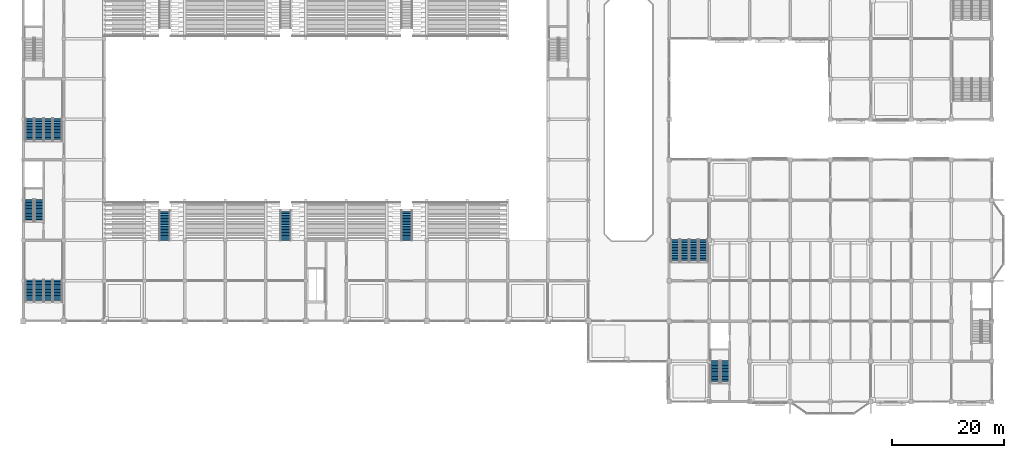
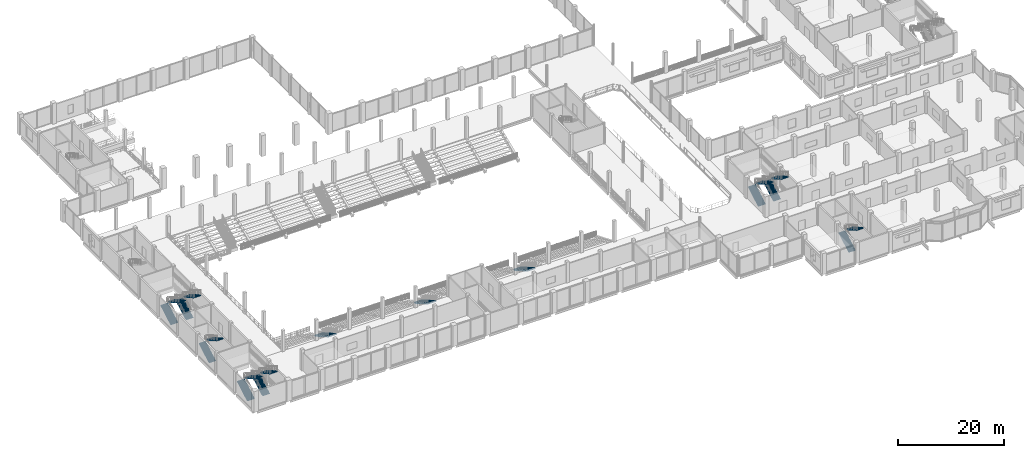
# One storey, part 72 of 99: 19 stair flights, 11 elements without a shape of their own.
"""IFC4 building model written with IfcOpenShell, lengths in metres."""

import ifcopenshell
import ifcopenshell.guid

model = None  # the IFC model being written
_history = None  # IfcOwnerHistory: only IFC2X3 demands one
_inside = {}  # id of a spatial element -> (the spatial element, [elements in it])
_under = {}  # id of a project, library or spatial element -> (it, [spatial elements below it])
_declared = {}  # id of a project -> (the project, [libraries it declares])
_typed = {}  # id of a type object -> (the type object, [elements of that type])
_made_of = {}  # id of a material, layer set ... -> (it, [elements and type objects made of it])


def new_model(schema):
    """Start an empty IFC model of exactly this schema.

    Asked for "IFC4X3", IfcOpenShell would pick the latest addendum, in which some entities
    have other attributes; the version numbers below select the first issue.
    IFC2X3 requires an IfcOwnerHistory on every rooted entity: one is made here for all.
    """
    global model, _history
    if schema == "IFC4X3":
        model = ifcopenshell.file(schema_version=(4, 3, 0, 0))
    else:
        model = ifcopenshell.file(schema=schema)
    _inside.clear()
    _under.clear()
    _declared.clear()
    _typed.clear()
    _made_of.clear()
    _history = None
    if model.schema == "IFC2X3":
        org = make("IfcOrganization", Name="unknown")
        user = make(
            "IfcPersonAndOrganization",
            ThePerson=make("IfcPerson", FamilyName="unknown"),
            TheOrganization=org,
        )
        app = make(
            "IfcApplication",
            ApplicationDeveloper=org,
            Version="unknown",
            ApplicationFullName="unknown",
            ApplicationIdentifier="unknown",
        )
        _history = make(
            "IfcOwnerHistory",
            OwningUser=user,
            OwningApplication=app,
            ChangeAction="ADDED",
            CreationDate=0,
        )
    return model


def make(cls, **values):
    """One entity of the class cls with the attributes given. An attribute that is None is left unset."""
    return model.create_entity(
        cls, **{name: value for name, value in values.items() if value is not None}
    )


def rooted(cls, **values):
    """An entity with a GlobalId (a new one), such as an element, a storey or a relation."""
    return make(cls, GlobalId=ifcopenshell.guid.new(), OwnerHistory=_history, **values)


def si_unit(unit_type, name, prefix=None):
    """IfcSIUnit, for example si_unit("LENGTHUNIT", "METRE", prefix="MILLI")."""
    return make("IfcSIUnit", UnitType=unit_type, Prefix=prefix, Name=name)


def assignment(units):
    """IfcUnitAssignment: the units of a project."""
    return None if units is None else make("IfcUnitAssignment", Units=units)


def point(xyz):
    """IfcCartesianPoint."""
    return None if xyz is None else make("IfcCartesianPoint", Coordinates=xyz)


def direction(xyz):
    """IfcDirection."""
    return None if xyz is None else make("IfcDirection", DirectionRatios=xyz)


def frame(location, z_axis=None, x_axis=None):
    """IfcAxis2Placement3D, a coordinate frame: its origin and axes. An axis left out is left unset."""
    return make(
        "IfcAxis2Placement3D",
        Location=point(location),
        Axis=direction(z_axis),
        RefDirection=direction(x_axis),
    )


def origin():
    """The frame at (0, 0, 0) with its axes left unset."""
    return frame((0.0, 0.0, 0.0))


def place(relative_to, where):
    """IfcLocalPlacement: puts the frame where relative to a parent placement (None: the world)."""
    return make(
        "IfcLocalPlacement", PlacementRelTo=relative_to, RelativePlacement=where
    )


def context(
    kind, dimensions, precision=None, world=None, true_north=None, identifier=None
):
    """IfcGeometricRepresentationContext, for example the 3D "Model" context."""
    return make(
        "IfcGeometricRepresentationContext",
        ContextIdentifier=identifier,
        ContextType=kind,
        CoordinateSpaceDimension=dimensions,
        Precision=precision,
        WorldCoordinateSystem=world,
        TrueNorth=true_north,
    )


def subcontext(parent, identifier, kind, view, scale=None):
    """IfcGeometricRepresentationSubContext, for example "Body" below "Model"."""
    return make(
        "IfcGeometricRepresentationSubContext",
        ContextIdentifier=identifier,
        ContextType=kind,
        ParentContext=parent,
        TargetScale=scale,
        TargetView=view,
    )


def project(units=None, contexts=None):
    """IfcProject with its units and contexts."""
    return rooted(
        "IfcProject",
        Name="project",
        RepresentationContexts=contexts,
        UnitsInContext=assignment(units),
    )


def spatial(cls, under=None, at=None, **own):
    """A site, building, storey or space (cls), placed at a placement, below another one or the project."""
    s = rooted(cls, ObjectPlacement=at, **own)
    if under is not None:
        _under.setdefault(under.id(), (under, []))[1].append(s)
    return s


def polyline(points):
    """IfcPolyline through the points."""
    return make("IfcPolyline", Points=[point(p) for p in points])


def outline(outer, holes=None, kind="AREA"):
    """IfcArbitraryClosedProfileDef: a profile drawn as a closed curve; with holes, ...WithVoids."""
    if holes is None:
        return make("IfcArbitraryClosedProfileDef", ProfileType=kind, OuterCurve=outer)
    return make(
        "IfcArbitraryProfileDefWithVoids",
        ProfileType=kind,
        OuterCurve=outer,
        InnerCurves=holes,
    )


def extrude(swept, where, along, depth):
    """IfcExtrudedAreaSolid: the profile swept, set in the frame where, extruded along a direction by depth."""
    return make(
        "IfcExtrudedAreaSolid",
        SweptArea=swept,
        Position=where,
        ExtrudedDirection=direction(along),
        Depth=depth,
    )


def shape(context_of_items, identifier, shape_type, items):
    """IfcShapeRepresentation: the items that make up one representation, for example the "Body"."""
    return make(
        "IfcShapeRepresentation",
        ContextOfItems=context_of_items,
        RepresentationIdentifier=identifier,
        RepresentationType=shape_type,
        Items=items,
    )


def material(Name=None, Category=None):
    """IfcMaterial."""
    return make("IfcMaterial", Name=Name, Category=Category)


def made_of(thing, what):
    """Note that an element or type object is made of a material, layer set ...; save() writes the relation."""
    if what is not None:
        _made_of.setdefault(what.id(), (what, []))[1].append(thing)
    return thing


def type_object(cls, material=None, **own):
    """A type object (cls), such as IfcWallType, which elements share."""
    return made_of(rooted(cls, **own), material)


def element(
    cls,
    number,
    at=None,
    inside=None,
    cuts=None,
    type_object=None,
    material=None,
    context=None,
    identifier="Body",
    shape_type=None,
    held_by="IfcProductDefinitionShape",
    body=None,
    shapes=None,
    **own,
):
    """One element of the class cls, such as IfcWall. Its Tag is "e" and its number.

    at: its placement. inside: the storey or other place that contains it. cuts: it is an
    opening in that element (IfcRelVoidsElement). A single representation is given by context,
    identifier, shape_type and body (its items); several are given by shapes. held_by: the class
    of the entity that holds the representations. save() writes the other relations.
    """
    e = rooted(cls, Tag="e%d" % number, ObjectPlacement=at, **own)
    if body is not None:
        shapes = [shape(context, identifier, shape_type, body)]
    if shapes is not None:
        e.Representation = make(held_by, Representations=shapes)
    if inside is not None:
        _inside.setdefault(inside.id(), (inside, []))[1].append(e)
    if cuts is not None:
        rooted(
            "IfcRelVoidsElement", RelatingBuildingElement=cuts, RelatedOpeningElement=e
        )
    if type_object is not None:
        _typed.setdefault(type_object.id(), (type_object, []))[1].append(e)
    return made_of(e, material)


def aggregate(whole, parts):
    """IfcRelAggregates: a whole, such as a stair, and the parts it consists of."""
    return rooted("IfcRelAggregates", RelatingObject=whole, RelatedObjects=parts)


def save(model, path):
    """Write the relations noted so far, then the file.

    IfcRelAggregates (storeys below a building ...), IfcRelContainedInSpatialStructure (elements
    in a storey), IfcRelDefinesByType, IfcRelAssociatesMaterial and IfcRelDeclares: one each for
    every whole, place, type object, material and project.
    """
    for whole, parts in _under.values():
        aggregate(whole, parts)
    for where, things in _inside.values():
        rooted(
            "IfcRelContainedInSpatialStructure",
            RelatedElements=things,
            RelatingStructure=where,
        )
    for kind, things in _typed.values():
        rooted("IfcRelDefinesByType", RelatedObjects=things, RelatingType=kind)
    for what, things in _made_of.values():
        rooted("IfcRelAssociatesMaterial", RelatedObjects=things, RelatingMaterial=what)
    for by, libraries in _declared.values():
        rooted("IfcRelDeclares", RelatingContext=by, RelatedDefinitions=libraries)
    model.write(path)


model = new_model("IFC4")

# Units and contexts
model_context = context("Model", 3, precision=1e-05, world=origin(), true_north=direction((0.0, 1.0)))
body_context = subcontext(model_context, "Body", "Model", "MODEL_VIEW")
ifc_project = project(units=[si_unit("LENGTHUNIT", "METRE"), si_unit("AREAUNIT", "SQUARE_METRE"), si_unit("VOLUMEUNIT", "CUBIC_METRE"), si_unit("PLANEANGLEUNIT", "RADIAN"), si_unit("MASSUNIT", "GRAM", prefix="KILO")], contexts=[model_context])

# Site, building, storey
site_placement = place(None, origin())
site = spatial("IfcSite", under=ifc_project, at=site_placement, CompositionType="ELEMENT")
building_placement = place(site_placement, origin())
building = spatial("IfcBuilding", under=site, at=building_placement, Name="Vesperath Aquatics Centre", CompositionType="ELEMENT")
storey_placement = place(building_placement, frame((0.0, 0.0, 5.39990234375)))
storey = spatial("IfcBuildingStorey", under=building, at=storey_placement, Name="L01", CompositionType="ELEMENT", Elevation=5.39990234375)

# Stair, stair flights
ifc_material = material(Name="Concrete C35", Category="concrete")
stair_type_1 = type_object("IfcStairType", Name="ST-HT48", PredefinedType="HALF_TURN_STAIR", material=ifc_material)
stair_1_placement = place(storey_placement, origin())
stair_1 = element("IfcStair", 1, at=stair_1_placement, inside=storey, type_object=stair_type_1, Name="Enclosed Exit Stair ST1 L01", PredefinedType="HALF_TURN_STAIR")
stair_flight_type_1 = type_object("IfcStairFlightType", Name="SF-F48", PredefinedType="STRAIGHT", material=ifc_material)
stair_flight_1_placement = place(storey_placement, frame((1.070068359375, 32.219970703125, 0.0), z_axis=(0.0, 0.0, 1.0), x_axis=(0.0, 1.0, 0.0)))
stair_flight_1 = element("IfcStairFlight", 2, at=stair_flight_1_placement, type_object=stair_flight_type_1, Name="Stair ST1 Flight 1 L01", NumberOfRisers=15, NumberOfTreads=14, PredefinedType="STRAIGHT", RiserHeight=0.16, TreadLength=0.28, context=body_context, shape_type="SweptSolid", body=[
    extrude(outline(polyline([(0.0, 0.0), (0.0, 0.159912109375), (0.280029296875, 0.159912109375), (0.280029296875, 0.320068359375), (0.56005859375, 0.320068359375), (0.56005859375, 0.47998046875), (0.840087890625, 0.47998046875), (0.840087890625, 0.639892578125), (1.1201171875, 0.639892578125), (1.1201171875, 0.800048828125), (1.39990234375, 0.800048828125), (1.39990234375, 0.9599609375), (1.679931640625, 0.9599609375), (1.679931640625, 1.1201171875), (1.9599609375, 1.1201171875), (1.9599609375, 1.280029296875), (2.239990234375, 1.280029296875), (2.239990234375, 1.43994140625), (2.52001953125, 1.43994140625), (2.52001953125, 1.60009765625), (2.800048828125, 1.60009765625), (2.800048828125, 1.760009765625), (3.080078125, 1.760009765625), (3.080078125, 1.919921875), (3.360107421875, 1.919921875), (3.360107421875, 2.080078125), (3.639892578125, 2.080078125), (3.639892578125, 2.239990234375), (3.919921875, 2.239990234375), (3.919921875, 2.39990234375), (3.919921875, 2.03271484375), (0.362548828125, 0.0), (0.0, 0.0)])), frame((0.0, 0.719970703125, 0.0), z_axis=(0.0, -1.0, 0.0), x_axis=(1.0, 0.0, 0.0)), (0.0, 0.0, 1.0), 1.43994140625),
])
stair_flight_2_placement = place(storey_placement, frame((2.75, 36.139892578125, 2.400146484375), z_axis=(0.0, 0.0, 1.0), x_axis=(0.0, -1.0, 0.0)))
stair_flight_2 = element("IfcStairFlight", 3, at=stair_flight_2_placement, type_object=stair_flight_type_1, Name="Stair ST1 Flight 2 L01", NumberOfRisers=15, NumberOfTreads=14, PredefinedType="STRAIGHT", RiserHeight=0.16, TreadLength=0.28, context=body_context, shape_type="SweptSolid", body=[
    extrude(outline(polyline([(0.0, 0.0), (0.0, 0.159912109375), (0.280029296875, 0.159912109375), (0.280029296875, 0.320068359375), (0.56005859375, 0.320068359375), (0.56005859375, 0.47998046875), (0.840087890625, 0.47998046875), (0.840087890625, 0.639892578125), (1.1201171875, 0.639892578125), (1.1201171875, 0.800048828125), (1.39990234375, 0.800048828125), (1.39990234375, 0.9599609375), (1.679931640625, 0.9599609375), (1.679931640625, 1.1201171875), (1.9599609375, 1.1201171875), (1.9599609375, 1.280029296875), (2.239990234375, 1.280029296875), (2.239990234375, 1.43994140625), (2.52001953125, 1.43994140625), (2.52001953125, 1.60009765625), (2.800048828125, 1.60009765625), (2.800048828125, 1.760009765625), (3.080078125, 1.760009765625), (3.080078125, 1.919921875), (3.360107421875, 1.919921875), (3.360107421875, 2.080078125), (3.639892578125, 2.080078125), (3.639892578125, 2.239990234375), (3.919921875, 2.239990234375), (3.919921875, 2.39990234375), (3.919921875, 2.03271484375), (0.362548828125, 0.0), (0.0, 0.0)])), frame((0.0, 0.719970703125, 0.0), z_axis=(0.0, -1.0, 0.0), x_axis=(1.0, 0.0, 0.0)), (0.0, 0.0, 1.0), 1.43994140625),
])
aggregate(stair_1, [stair_flight_1, stair_flight_2])

stair_2_placement = place(storey_placement, origin())
stair_2 = element("IfcStair", 4, at=stair_2_placement, inside=storey, type_object=stair_type_1, Name="Enclosed Exit Stair ST5 L01", PredefinedType="HALF_TURN_STAIR")
stair_flight_3_placement = place(storey_placement, frame((123.469970703125, 3.419921875, 0.0), z_axis=(0.0, 0.0, 1.0), x_axis=(0.0, 1.0, 0.0)))
stair_flight_3 = element("IfcStairFlight", 5, at=stair_flight_3_placement, type_object=stair_flight_type_1, Name="Stair ST5 Flight 1 L01", NumberOfRisers=15, NumberOfTreads=14, PredefinedType="STRAIGHT", RiserHeight=0.16, TreadLength=0.28, context=body_context, shape_type="SweptSolid", body=[
    extrude(outline(polyline([(0.0, 0.0), (0.0, 0.159912109375), (0.280029296875, 0.159912109375), (0.280029296875, 0.320068359375), (0.56005859375, 0.320068359375), (0.56005859375, 0.47998046875), (0.840087890625, 0.47998046875), (0.840087890625, 0.639892578125), (1.1201171875, 0.639892578125), (1.1201171875, 0.800048828125), (1.39990234375, 0.800048828125), (1.39990234375, 0.9599609375), (1.679931640625, 0.9599609375), (1.679931640625, 1.1201171875), (1.9599609375, 1.1201171875), (1.9599609375, 1.280029296875), (2.239990234375, 1.280029296875), (2.239990234375, 1.43994140625), (2.52001953125, 1.43994140625), (2.52001953125, 1.60009765625), (2.800048828125, 1.60009765625), (2.800048828125, 1.760009765625), (3.080078125, 1.760009765625), (3.080078125, 1.919921875), (3.360107421875, 1.919921875), (3.360107421875, 2.080078125), (3.639892578125, 2.080078125), (3.639892578125, 2.239990234375), (3.919921875, 2.239990234375), (3.919921875, 2.39990234375), (3.919921875, 2.03271484375), (0.362548828125, 0.0), (0.0, 0.0)])), frame((0.0, 0.719970703125, 0.0), z_axis=(0.0, -1.0, 0.0), x_axis=(1.0, 0.0, 0.0)), (0.0, 0.0, 1.0), 1.43994140625),
])
stair_flight_4_placement = place(storey_placement, frame((125.14990234375, 7.340087890625, 2.400146484375), z_axis=(0.0, 0.0, 1.0), x_axis=(0.0, -1.0, 0.0)))
stair_flight_4 = element("IfcStairFlight", 6, at=stair_flight_4_placement, type_object=stair_flight_type_1, Name="Stair ST5 Flight 2 L01", NumberOfRisers=15, NumberOfTreads=14, PredefinedType="STRAIGHT", RiserHeight=0.16, TreadLength=0.28, context=body_context, shape_type="SweptSolid", body=[
    extrude(outline(polyline([(0.0, 0.0), (0.0, 0.159912109375), (0.280029296875, 0.159912109375), (0.280029296875, 0.320068359375), (0.56005859375, 0.320068359375), (0.56005859375, 0.47998046875), (0.840087890625, 0.47998046875), (0.840087890625, 0.639892578125), (1.1201171875, 0.639892578125), (1.1201171875, 0.800048828125), (1.39990234375, 0.800048828125), (1.39990234375, 0.9599609375), (1.679931640625, 0.9599609375), (1.679931640625, 1.1201171875), (1.9599609375, 1.1201171875), (1.9599609375, 1.280029296875), (2.239990234375, 1.280029296875), (2.239990234375, 1.43994140625), (2.52001953125, 1.43994140625), (2.52001953125, 1.60009765625), (2.800048828125, 1.60009765625), (2.800048828125, 1.760009765625), (3.080078125, 1.760009765625), (3.080078125, 1.919921875), (3.360107421875, 1.919921875), (3.360107421875, 2.080078125), (3.639892578125, 2.080078125), (3.639892578125, 2.239990234375), (3.919921875, 2.239990234375), (3.919921875, 2.39990234375), (3.919921875, 2.03271484375), (0.362548828125, 0.0), (0.0, 0.0)])), frame((0.0, 0.719970703125, 0.0), z_axis=(0.0, -1.0, 0.0), x_axis=(1.0, 0.0, 0.0)), (0.0, 0.0, 1.0), 1.43994140625),
])
aggregate(stair_2, [stair_flight_3, stair_flight_4])

# Stair, stair flight
stair_type_2 = type_object("IfcStairType", Name="ST-VM32", PredefinedType="STRAIGHT_RUN_STAIR", material=ifc_material)
stair_3_placement = place(storey_placement, origin())
stair_3 = element("IfcStair", 7, at=stair_3_placement, inside=storey, type_object=stair_type_2, Name="Spectator Vomitory Stair VOM-01", PredefinedType="STRAIGHT_RUN_STAIR")
stair_flight_type_2 = type_object("IfcStairFlightType", Name="SF-VM1", PredefinedType="STRAIGHT", material=ifc_material)
stair_flight_5_placement = place(storey_placement, frame((25.199951171875, 34.1201171875, -3.199951171875), z_axis=(0.0, 0.0, 1.0), x_axis=(0.0, -1.0, 0.0)))
stair_flight_5 = element("IfcStairFlight", 8, at=stair_flight_5_placement, type_object=stair_flight_type_2, Name="Spectator Vomitory Stair VOM-01 Flight", NumberOfRisers=20, NumberOfTreads=19, PredefinedType="STRAIGHT", RiserHeight=0.16, TreadLength=0.28, context=body_context, shape_type="SweptSolid", body=[
    extrude(outline(polyline([(0.0, 0.0), (0.0, 0.159912109375), (0.280029296875, 0.159912109375), (0.280029296875, 0.320068359375), (0.56005859375, 0.320068359375), (0.56005859375, 0.47998046875), (0.840087890625, 0.47998046875), (0.840087890625, 0.639892578125), (1.1201171875, 0.639892578125), (1.1201171875, 0.800048828125), (1.39990234375, 0.800048828125), (1.39990234375, 0.9599609375), (1.679931640625, 0.9599609375), (1.679931640625, 1.1201171875), (1.9599609375, 1.1201171875), (1.9599609375, 1.280029296875), (2.239990234375, 1.280029296875), (2.239990234375, 1.43994140625), (2.52001953125, 1.43994140625), (2.52001953125, 1.60009765625), (2.800048828125, 1.60009765625), (2.800048828125, 1.760009765625), (3.080078125, 1.760009765625), (3.080078125, 1.919921875), (3.360107421875, 1.919921875), (3.360107421875, 2.080078125), (3.639892578125, 2.080078125), (3.639892578125, 2.239990234375), (3.919921875, 2.239990234375), (3.919921875, 2.39990234375), (4.199951171875, 2.39990234375), (4.199951171875, 2.56005859375), (4.47998046875, 2.56005859375), (4.47998046875, 2.719970703125), (4.760009765625, 2.719970703125), (4.760009765625, 2.8798828125), (5.0400390625, 2.8798828125), (5.0400390625, 3.0400390625), (5.320068359375, 3.0400390625), (5.320068359375, 3.199951171875), (5.320068359375, 2.809814453125), (0.403076171875, 0.0), (0.0, 0.0)])), frame((0.0, 0.89990234375, 0.0), z_axis=(0.0, -1.0, 0.0), x_axis=(1.0, 0.0, 0.0)), (0.0, 0.0, 1.0), 1.800048828125),
])
aggregate(stair_3, [stair_flight_5])

stair_4_placement = place(storey_placement, origin())
stair_4 = element("IfcStair", 9, at=stair_4_placement, inside=storey, type_object=stair_type_2, Name="Spectator Vomitory Stair VOM-02", PredefinedType="STRAIGHT_RUN_STAIR")
stair_flight_6_placement = place(storey_placement, frame((46.800048828125, 34.1201171875, -3.199951171875), z_axis=(0.0, 0.0, 1.0), x_axis=(0.0, -1.0, 0.0)))
stair_flight_6 = element("IfcStairFlight", 10, at=stair_flight_6_placement, type_object=stair_flight_type_2, Name="Spectator Vomitory Stair VOM-02 Flight", NumberOfRisers=20, NumberOfTreads=19, PredefinedType="STRAIGHT", RiserHeight=0.16, TreadLength=0.28, context=body_context, shape_type="SweptSolid", body=[
    extrude(outline(polyline([(0.0, 0.0), (0.0, 0.159912109375), (0.280029296875, 0.159912109375), (0.280029296875, 0.320068359375), (0.56005859375, 0.320068359375), (0.56005859375, 0.47998046875), (0.840087890625, 0.47998046875), (0.840087890625, 0.639892578125), (1.1201171875, 0.639892578125), (1.1201171875, 0.800048828125), (1.39990234375, 0.800048828125), (1.39990234375, 0.9599609375), (1.679931640625, 0.9599609375), (1.679931640625, 1.1201171875), (1.9599609375, 1.1201171875), (1.9599609375, 1.280029296875), (2.239990234375, 1.280029296875), (2.239990234375, 1.43994140625), (2.52001953125, 1.43994140625), (2.52001953125, 1.60009765625), (2.800048828125, 1.60009765625), (2.800048828125, 1.760009765625), (3.080078125, 1.760009765625), (3.080078125, 1.919921875), (3.360107421875, 1.919921875), (3.360107421875, 2.080078125), (3.639892578125, 2.080078125), (3.639892578125, 2.239990234375), (3.919921875, 2.239990234375), (3.919921875, 2.39990234375), (4.199951171875, 2.39990234375), (4.199951171875, 2.56005859375), (4.47998046875, 2.56005859375), (4.47998046875, 2.719970703125), (4.760009765625, 2.719970703125), (4.760009765625, 2.8798828125), (5.0400390625, 2.8798828125), (5.0400390625, 3.0400390625), (5.320068359375, 3.0400390625), (5.320068359375, 3.199951171875), (5.320068359375, 2.809814453125), (0.403076171875, 0.0), (0.0, 0.0)])), frame((0.0, 0.89990234375, 0.0), z_axis=(0.0, -1.0, 0.0), x_axis=(1.0, 0.0, 0.0)), (0.0, 0.0, 1.0), 1.800048828125),
])
aggregate(stair_4, [stair_flight_6])

stair_5_placement = place(storey_placement, origin())
stair_5 = element("IfcStair", 11, at=stair_5_placement, inside=storey, type_object=stair_type_2, Name="Spectator Vomitory Stair VOM-03", PredefinedType="STRAIGHT_RUN_STAIR")
stair_flight_7_placement = place(storey_placement, frame((68.39990234375, 34.1201171875, -3.199951171875), z_axis=(0.0, 0.0, 1.0), x_axis=(0.0, -1.0, 0.0)))
stair_flight_7 = element("IfcStairFlight", 12, at=stair_flight_7_placement, type_object=stair_flight_type_2, Name="Spectator Vomitory Stair VOM-03 Flight", NumberOfRisers=20, NumberOfTreads=19, PredefinedType="STRAIGHT", RiserHeight=0.16, TreadLength=0.28, context=body_context, shape_type="SweptSolid", body=[
    extrude(outline(polyline([(0.0, 0.0), (0.0, 0.159912109375), (0.280029296875, 0.159912109375), (0.280029296875, 0.320068359375), (0.56005859375, 0.320068359375), (0.56005859375, 0.47998046875), (0.840087890625, 0.47998046875), (0.840087890625, 0.639892578125), (1.1201171875, 0.639892578125), (1.1201171875, 0.800048828125), (1.39990234375, 0.800048828125), (1.39990234375, 0.9599609375), (1.679931640625, 0.9599609375), (1.679931640625, 1.1201171875), (1.9599609375, 1.1201171875), (1.9599609375, 1.280029296875), (2.239990234375, 1.280029296875), (2.239990234375, 1.43994140625), (2.52001953125, 1.43994140625), (2.52001953125, 1.60009765625), (2.800048828125, 1.60009765625), (2.800048828125, 1.760009765625), (3.080078125, 1.760009765625), (3.080078125, 1.919921875), (3.360107421875, 1.919921875), (3.360107421875, 2.080078125), (3.639892578125, 2.080078125), (3.639892578125, 2.239990234375), (3.919921875, 2.239990234375), (3.919921875, 2.39990234375), (4.199951171875, 2.39990234375), (4.199951171875, 2.56005859375), (4.47998046875, 2.56005859375), (4.47998046875, 2.719970703125), (4.760009765625, 2.719970703125), (4.760009765625, 2.8798828125), (5.0400390625, 2.8798828125), (5.0400390625, 3.0400390625), (5.320068359375, 3.0400390625), (5.320068359375, 3.199951171875), (5.320068359375, 2.809814453125), (0.403076171875, 0.0), (0.0, 0.0)])), frame((0.0, 0.89990234375, 0.0), z_axis=(0.0, -1.0, 0.0), x_axis=(1.0, 0.0, 0.0)), (0.0, 0.0, 1.0), 1.800048828125),
])
aggregate(stair_5, [stair_flight_7])

# Stair, stair flights
stair_type_3 = type_object("IfcStairType", Name="ST-HW48", PredefinedType="HALF_TURN_STAIR", material=ifc_material)
stair_6_placement = place(storey_placement, origin())
stair_6 = element("IfcStair", 13, at=stair_6_placement, inside=storey, type_object=stair_type_3, Name="Enclosed Exit Stair ST7A L01", PredefinedType="HALF_TURN_STAIR")
stair_flight_type_3 = type_object("IfcStairFlightType", Name="SF-W48", PredefinedType="STRAIGHT", material=ifc_material)
stair_flight_8_placement = place(storey_placement, frame((116.324951171875, 25.02001953125, 0.0), z_axis=(0.0, 0.0, 1.0), x_axis=(0.0, 1.0, 0.0)))
stair_flight_8 = element("IfcStairFlight", 14, at=stair_flight_8_placement, type_object=stair_flight_type_3, Name="Stair ST7A Flight 1 L01", NumberOfRisers=15, NumberOfTreads=14, PredefinedType="STRAIGHT", RiserHeight=0.16, TreadLength=0.28, context=body_context, shape_type="SweptSolid", body=[
    extrude(outline(polyline([(0.0, 0.0), (0.0, 0.159912109375), (0.280029296875, 0.159912109375), (0.280029296875, 0.320068359375), (0.56005859375, 0.320068359375), (0.56005859375, 0.47998046875), (0.840087890625, 0.47998046875), (0.840087890625, 0.639892578125), (1.1201171875, 0.639892578125), (1.1201171875, 0.800048828125), (1.39990234375, 0.800048828125), (1.39990234375, 0.9599609375), (1.679931640625, 0.9599609375), (1.679931640625, 1.1201171875), (1.9599609375, 1.1201171875), (1.9599609375, 1.280029296875), (2.239990234375, 1.280029296875), (2.239990234375, 1.43994140625), (2.52001953125, 1.43994140625), (2.52001953125, 1.60009765625), (2.800048828125, 1.60009765625), (2.800048828125, 1.760009765625), (3.080078125, 1.760009765625), (3.080078125, 1.919921875), (3.360107421875, 1.919921875), (3.360107421875, 2.080078125), (3.639892578125, 2.080078125), (3.639892578125, 2.239990234375), (3.919921875, 2.239990234375), (3.919921875, 2.39990234375), (3.919921875, 2.03271484375), (0.362548828125, 0.0), (0.0, 0.0)])), frame((0.0, 0.78515625, 0.0), z_axis=(0.0, -1.0, 0.0), x_axis=(1.0, 0.0, 0.0)), (0.0, 0.0, 1.0), 1.570068359375),
])
stair_flight_9_placement = place(storey_placement, frame((117.97509765625, 28.93994140625, 2.400146484375), z_axis=(0.0, 0.0, 1.0), x_axis=(0.0, -1.0, 0.0)))
stair_flight_9 = element("IfcStairFlight", 15, at=stair_flight_9_placement, type_object=stair_flight_type_3, Name="Stair ST7A Flight 2 L01", NumberOfRisers=15, NumberOfTreads=14, PredefinedType="STRAIGHT", RiserHeight=0.16, TreadLength=0.28, context=body_context, shape_type="SweptSolid", body=[
    extrude(outline(polyline([(0.0, 0.0), (0.0, 0.159912109375), (0.280029296875, 0.159912109375), (0.280029296875, 0.320068359375), (0.56005859375, 0.320068359375), (0.56005859375, 0.47998046875), (0.840087890625, 0.47998046875), (0.840087890625, 0.639892578125), (1.1201171875, 0.639892578125), (1.1201171875, 0.800048828125), (1.39990234375, 0.800048828125), (1.39990234375, 0.9599609375), (1.679931640625, 0.9599609375), (1.679931640625, 1.1201171875), (1.9599609375, 1.1201171875), (1.9599609375, 1.280029296875), (2.239990234375, 1.280029296875), (2.239990234375, 1.43994140625), (2.52001953125, 1.43994140625), (2.52001953125, 1.60009765625), (2.800048828125, 1.60009765625), (2.800048828125, 1.760009765625), (3.080078125, 1.760009765625), (3.080078125, 1.919921875), (3.360107421875, 1.919921875), (3.360107421875, 2.080078125), (3.639892578125, 2.080078125), (3.639892578125, 2.239990234375), (3.919921875, 2.239990234375), (3.919921875, 2.39990234375), (3.919921875, 2.03271484375), (0.362548828125, 0.0), (0.0, 0.0)])), frame((0.0, 0.78515625, 0.0), z_axis=(0.0, -1.0, 0.0), x_axis=(1.0, 0.0, 0.0)), (0.0, 0.0, 1.0), 1.570068359375),
])
aggregate(stair_6, [stair_flight_8, stair_flight_9])

stair_7_placement = place(storey_placement, origin())
stair_7 = element("IfcStair", 16, at=stair_7_placement, inside=storey, type_object=stair_type_3, Name="Enclosed Exit Stair ST7B L01", PredefinedType="HALF_TURN_STAIR")
stair_flight_10_placement = place(storey_placement, frame((119.625, 25.02001953125, 0.0), z_axis=(0.0, 0.0, 1.0), x_axis=(0.0, 1.0, 0.0)))
stair_flight_10 = element("IfcStairFlight", 17, at=stair_flight_10_placement, type_object=stair_flight_type_3, Name="Stair ST7B Flight 1 L01", NumberOfRisers=15, NumberOfTreads=14, PredefinedType="STRAIGHT", RiserHeight=0.16, TreadLength=0.28, context=body_context, shape_type="SweptSolid", body=[
    extrude(outline(polyline([(0.0, 0.0), (0.0, 0.159912109375), (0.280029296875, 0.159912109375), (0.280029296875, 0.320068359375), (0.56005859375, 0.320068359375), (0.56005859375, 0.47998046875), (0.840087890625, 0.47998046875), (0.840087890625, 0.639892578125), (1.1201171875, 0.639892578125), (1.1201171875, 0.800048828125), (1.39990234375, 0.800048828125), (1.39990234375, 0.9599609375), (1.679931640625, 0.9599609375), (1.679931640625, 1.1201171875), (1.9599609375, 1.1201171875), (1.9599609375, 1.280029296875), (2.239990234375, 1.280029296875), (2.239990234375, 1.43994140625), (2.52001953125, 1.43994140625), (2.52001953125, 1.60009765625), (2.800048828125, 1.60009765625), (2.800048828125, 1.760009765625), (3.080078125, 1.760009765625), (3.080078125, 1.919921875), (3.360107421875, 1.919921875), (3.360107421875, 2.080078125), (3.639892578125, 2.080078125), (3.639892578125, 2.239990234375), (3.919921875, 2.239990234375), (3.919921875, 2.39990234375), (3.919921875, 2.03271484375), (0.362548828125, 0.0), (0.0, 0.0)])), frame((0.0, 0.78515625, 0.0), z_axis=(0.0, -1.0, 0.0), x_axis=(1.0, 0.0, 0.0)), (0.0, 0.0, 1.0), 1.570068359375),
])
stair_flight_11_placement = place(storey_placement, frame((121.27490234375, 28.93994140625, 2.400146484375), z_axis=(0.0, 0.0, 1.0), x_axis=(0.0, -1.0, 0.0)))
stair_flight_11 = element("IfcStairFlight", 18, at=stair_flight_11_placement, type_object=stair_flight_type_3, Name="Stair ST7B Flight 2 L01", NumberOfRisers=15, NumberOfTreads=14, PredefinedType="STRAIGHT", RiserHeight=0.16, TreadLength=0.28, context=body_context, shape_type="SweptSolid", body=[
    extrude(outline(polyline([(0.0, 0.0), (0.0, 0.159912109375), (0.280029296875, 0.159912109375), (0.280029296875, 0.320068359375), (0.56005859375, 0.320068359375), (0.56005859375, 0.47998046875), (0.840087890625, 0.47998046875), (0.840087890625, 0.639892578125), (1.1201171875, 0.639892578125), (1.1201171875, 0.800048828125), (1.39990234375, 0.800048828125), (1.39990234375, 0.9599609375), (1.679931640625, 0.9599609375), (1.679931640625, 1.1201171875), (1.9599609375, 1.1201171875), (1.9599609375, 1.280029296875), (2.239990234375, 1.280029296875), (2.239990234375, 1.43994140625), (2.52001953125, 1.43994140625), (2.52001953125, 1.60009765625), (2.800048828125, 1.60009765625), (2.800048828125, 1.760009765625), (3.080078125, 1.760009765625), (3.080078125, 1.919921875), (3.360107421875, 1.919921875), (3.360107421875, 2.080078125), (3.639892578125, 2.080078125), (3.639892578125, 2.239990234375), (3.919921875, 2.239990234375), (3.919921875, 2.39990234375), (3.919921875, 2.03271484375), (0.362548828125, 0.0), (0.0, 0.0)])), frame((0.0, 0.78515625, 0.0), z_axis=(0.0, -1.0, 0.0), x_axis=(1.0, 0.0, 0.0)), (0.0, 0.0, 1.0), 1.570068359375),
])
aggregate(stair_7, [stair_flight_10, stair_flight_11])

stair_8_placement = place(storey_placement, origin())
stair_8 = element("IfcStair", 19, at=stair_8_placement, inside=storey, type_object=stair_type_3, Name="Enclosed Exit Stair ST10A L01", PredefinedType="HALF_TURN_STAIR")
stair_flight_12_placement = place(storey_placement, frame((1.125, 17.820068359375, 0.0), z_axis=(0.0, 0.0, 1.0), x_axis=(0.0, 1.0, 0.0)))
stair_flight_12 = element("IfcStairFlight", 20, at=stair_flight_12_placement, type_object=stair_flight_type_3, Name="Stair ST10A Flight 1 L01", NumberOfRisers=15, NumberOfTreads=14, PredefinedType="STRAIGHT", RiserHeight=0.16, TreadLength=0.28, context=body_context, shape_type="SweptSolid", body=[
    extrude(outline(polyline([(0.0, 0.0), (0.0, 0.159912109375), (0.280029296875, 0.159912109375), (0.280029296875, 0.320068359375), (0.56005859375, 0.320068359375), (0.56005859375, 0.47998046875), (0.840087890625, 0.47998046875), (0.840087890625, 0.639892578125), (1.1201171875, 0.639892578125), (1.1201171875, 0.800048828125), (1.39990234375, 0.800048828125), (1.39990234375, 0.9599609375), (1.679931640625, 0.9599609375), (1.679931640625, 1.1201171875), (1.9599609375, 1.1201171875), (1.9599609375, 1.280029296875), (2.239990234375, 1.280029296875), (2.239990234375, 1.43994140625), (2.52001953125, 1.43994140625), (2.52001953125, 1.60009765625), (2.800048828125, 1.60009765625), (2.800048828125, 1.760009765625), (3.080078125, 1.760009765625), (3.080078125, 1.919921875), (3.360107421875, 1.919921875), (3.360107421875, 2.080078125), (3.639892578125, 2.080078125), (3.639892578125, 2.239990234375), (3.919921875, 2.239990234375), (3.919921875, 2.39990234375), (3.919921875, 2.03271484375), (0.362548828125, 0.0), (0.0, 0.0)])), frame((0.0, 0.78515625, 0.0), z_axis=(0.0, -1.0, 0.0), x_axis=(1.0, 0.0, 0.0)), (0.0, 0.0, 1.0), 1.570068359375),
])
stair_flight_13_placement = place(storey_placement, frame((2.77490234375, 21.739990234375, 2.400146484375), z_axis=(0.0, 0.0, 1.0), x_axis=(0.0, -1.0, 0.0)))
stair_flight_13 = element("IfcStairFlight", 21, at=stair_flight_13_placement, type_object=stair_flight_type_3, Name="Stair ST10A Flight 2 L01", NumberOfRisers=15, NumberOfTreads=14, PredefinedType="STRAIGHT", RiserHeight=0.16, TreadLength=0.28, context=body_context, shape_type="SweptSolid", body=[
    extrude(outline(polyline([(0.0, 0.0), (0.0, 0.159912109375), (0.280029296875, 0.159912109375), (0.280029296875, 0.320068359375), (0.56005859375, 0.320068359375), (0.56005859375, 0.47998046875), (0.840087890625, 0.47998046875), (0.840087890625, 0.639892578125), (1.1201171875, 0.639892578125), (1.1201171875, 0.800048828125), (1.39990234375, 0.800048828125), (1.39990234375, 0.9599609375), (1.679931640625, 0.9599609375), (1.679931640625, 1.1201171875), (1.9599609375, 1.1201171875), (1.9599609375, 1.280029296875), (2.239990234375, 1.280029296875), (2.239990234375, 1.43994140625), (2.52001953125, 1.43994140625), (2.52001953125, 1.60009765625), (2.800048828125, 1.60009765625), (2.800048828125, 1.760009765625), (3.080078125, 1.760009765625), (3.080078125, 1.919921875), (3.360107421875, 1.919921875), (3.360107421875, 2.080078125), (3.639892578125, 2.080078125), (3.639892578125, 2.239990234375), (3.919921875, 2.239990234375), (3.919921875, 2.39990234375), (3.919921875, 2.03271484375), (0.362548828125, 0.0), (0.0, 0.0)])), frame((0.0, 0.78515625, 0.0), z_axis=(0.0, -1.0, 0.0), x_axis=(1.0, 0.0, 0.0)), (0.0, 0.0, 1.0), 1.570068359375),
])
aggregate(stair_8, [stair_flight_12, stair_flight_13])

stair_9_placement = place(storey_placement, origin())
stair_9 = element("IfcStair", 22, at=stair_9_placement, inside=storey, type_object=stair_type_3, Name="Enclosed Exit Stair ST10B L01", PredefinedType="HALF_TURN_STAIR")
stair_flight_14_placement = place(storey_placement, frame((4.425048828125, 17.820068359375, 0.0), z_axis=(0.0, 0.0, 1.0), x_axis=(0.0, 1.0, 0.0)))
stair_flight_14 = element("IfcStairFlight", 23, at=stair_flight_14_placement, type_object=stair_flight_type_3, Name="Stair ST10B Flight 1 L01", NumberOfRisers=15, NumberOfTreads=14, PredefinedType="STRAIGHT", RiserHeight=0.16, TreadLength=0.28, context=body_context, shape_type="SweptSolid", body=[
    extrude(outline(polyline([(0.0, 0.0), (0.0, 0.159912109375), (0.280029296875, 0.159912109375), (0.280029296875, 0.320068359375), (0.56005859375, 0.320068359375), (0.56005859375, 0.47998046875), (0.840087890625, 0.47998046875), (0.840087890625, 0.639892578125), (1.1201171875, 0.639892578125), (1.1201171875, 0.800048828125), (1.39990234375, 0.800048828125), (1.39990234375, 0.9599609375), (1.679931640625, 0.9599609375), (1.679931640625, 1.1201171875), (1.9599609375, 1.1201171875), (1.9599609375, 1.280029296875), (2.239990234375, 1.280029296875), (2.239990234375, 1.43994140625), (2.52001953125, 1.43994140625), (2.52001953125, 1.60009765625), (2.800048828125, 1.60009765625), (2.800048828125, 1.760009765625), (3.080078125, 1.760009765625), (3.080078125, 1.919921875), (3.360107421875, 1.919921875), (3.360107421875, 2.080078125), (3.639892578125, 2.080078125), (3.639892578125, 2.239990234375), (3.919921875, 2.239990234375), (3.919921875, 2.39990234375), (3.919921875, 2.03271484375), (0.362548828125, 0.0), (0.0, 0.0)])), frame((0.0, 0.78515625, 0.0), z_axis=(0.0, -1.0, 0.0), x_axis=(1.0, 0.0, 0.0)), (0.0, 0.0, 1.0), 1.570068359375),
])
stair_flight_15_placement = place(storey_placement, frame((6.074951171875, 21.739990234375, 2.400146484375), z_axis=(0.0, 0.0, 1.0), x_axis=(0.0, -1.0, 0.0)))
stair_flight_15 = element("IfcStairFlight", 24, at=stair_flight_15_placement, type_object=stair_flight_type_3, Name="Stair ST10B Flight 2 L01", NumberOfRisers=15, NumberOfTreads=14, PredefinedType="STRAIGHT", RiserHeight=0.16, TreadLength=0.28, context=body_context, shape_type="SweptSolid", body=[
    extrude(outline(polyline([(0.0, 0.0), (0.0, 0.159912109375), (0.280029296875, 0.159912109375), (0.280029296875, 0.320068359375), (0.56005859375, 0.320068359375), (0.56005859375, 0.47998046875), (0.840087890625, 0.47998046875), (0.840087890625, 0.639892578125), (1.1201171875, 0.639892578125), (1.1201171875, 0.800048828125), (1.39990234375, 0.800048828125), (1.39990234375, 0.9599609375), (1.679931640625, 0.9599609375), (1.679931640625, 1.1201171875), (1.9599609375, 1.1201171875), (1.9599609375, 1.280029296875), (2.239990234375, 1.280029296875), (2.239990234375, 1.43994140625), (2.52001953125, 1.43994140625), (2.52001953125, 1.60009765625), (2.800048828125, 1.60009765625), (2.800048828125, 1.760009765625), (3.080078125, 1.760009765625), (3.080078125, 1.919921875), (3.360107421875, 1.919921875), (3.360107421875, 2.080078125), (3.639892578125, 2.080078125), (3.639892578125, 2.239990234375), (3.919921875, 2.239990234375), (3.919921875, 2.39990234375), (3.919921875, 2.03271484375), (0.362548828125, 0.0), (0.0, 0.0)])), frame((0.0, 0.78515625, 0.0), z_axis=(0.0, -1.0, 0.0), x_axis=(1.0, 0.0, 0.0)), (0.0, 0.0, 1.0), 1.570068359375),
])
aggregate(stair_9, [stair_flight_14, stair_flight_15])

stair_10_placement = place(storey_placement, origin())
stair_10 = element("IfcStair", 25, at=stair_10_placement, inside=storey, type_object=stair_type_3, Name="Enclosed Exit Stair ST11A L01", PredefinedType="HALF_TURN_STAIR")
stair_flight_16_placement = place(storey_placement, frame((1.125, 46.6201171875, 0.0), z_axis=(0.0, 0.0, 1.0), x_axis=(0.0, 1.0, 0.0)))
stair_flight_16 = element("IfcStairFlight", 26, at=stair_flight_16_placement, type_object=stair_flight_type_3, Name="Stair ST11A Flight 1 L01", NumberOfRisers=15, NumberOfTreads=14, PredefinedType="STRAIGHT", RiserHeight=0.16, TreadLength=0.28, context=body_context, shape_type="SweptSolid", body=[
    extrude(outline(polyline([(0.0, 0.0), (0.0, 0.159912109375), (0.280029296875, 0.159912109375), (0.280029296875, 0.320068359375), (0.56005859375, 0.320068359375), (0.56005859375, 0.47998046875), (0.840087890625, 0.47998046875), (0.840087890625, 0.639892578125), (1.1201171875, 0.639892578125), (1.1201171875, 0.800048828125), (1.39990234375, 0.800048828125), (1.39990234375, 0.9599609375), (1.679931640625, 0.9599609375), (1.679931640625, 1.1201171875), (1.9599609375, 1.1201171875), (1.9599609375, 1.280029296875), (2.239990234375, 1.280029296875), (2.239990234375, 1.43994140625), (2.52001953125, 1.43994140625), (2.52001953125, 1.60009765625), (2.800048828125, 1.60009765625), (2.800048828125, 1.760009765625), (3.080078125, 1.760009765625), (3.080078125, 1.919921875), (3.360107421875, 1.919921875), (3.360107421875, 2.080078125), (3.639892578125, 2.080078125), (3.639892578125, 2.239990234375), (3.919921875, 2.239990234375), (3.919921875, 2.39990234375), (3.919921875, 2.03271484375), (0.362548828125, 0.0), (0.0, 0.0)])), frame((0.0, 0.78515625, 0.0), z_axis=(0.0, -1.0, 0.0), x_axis=(1.0, 0.0, 0.0)), (0.0, 0.0, 1.0), 1.570068359375),
])
stair_flight_17_placement = place(storey_placement, frame((2.77490234375, 50.5400390625, 2.400146484375), z_axis=(0.0, 0.0, 1.0), x_axis=(0.0, -1.0, 0.0)))
stair_flight_17 = element("IfcStairFlight", 27, at=stair_flight_17_placement, type_object=stair_flight_type_3, Name="Stair ST11A Flight 2 L01", NumberOfRisers=15, NumberOfTreads=14, PredefinedType="STRAIGHT", RiserHeight=0.16, TreadLength=0.28, context=body_context, shape_type="SweptSolid", body=[
    extrude(outline(polyline([(0.0, 0.0), (0.0, 0.159912109375), (0.280029296875, 0.159912109375), (0.280029296875, 0.320068359375), (0.56005859375, 0.320068359375), (0.56005859375, 0.47998046875), (0.840087890625, 0.47998046875), (0.840087890625, 0.639892578125), (1.1201171875, 0.639892578125), (1.1201171875, 0.800048828125), (1.39990234375, 0.800048828125), (1.39990234375, 0.9599609375), (1.679931640625, 0.9599609375), (1.679931640625, 1.1201171875), (1.9599609375, 1.1201171875), (1.9599609375, 1.280029296875), (2.239990234375, 1.280029296875), (2.239990234375, 1.43994140625), (2.52001953125, 1.43994140625), (2.52001953125, 1.60009765625), (2.800048828125, 1.60009765625), (2.800048828125, 1.760009765625), (3.080078125, 1.760009765625), (3.080078125, 1.919921875), (3.360107421875, 1.919921875), (3.360107421875, 2.080078125), (3.639892578125, 2.080078125), (3.639892578125, 2.239990234375), (3.919921875, 2.239990234375), (3.919921875, 2.39990234375), (3.919921875, 2.03271484375), (0.362548828125, 0.0), (0.0, 0.0)])), frame((0.0, 0.78515625, 0.0), z_axis=(0.0, -1.0, 0.0), x_axis=(1.0, 0.0, 0.0)), (0.0, 0.0, 1.0), 1.570068359375),
])
aggregate(stair_10, [stair_flight_16, stair_flight_17])

stair_11_placement = place(storey_placement, origin())
stair_11 = element("IfcStair", 28, at=stair_11_placement, inside=storey, type_object=stair_type_3, Name="Enclosed Exit Stair ST11B L01", PredefinedType="HALF_TURN_STAIR")
stair_flight_18_placement = place(storey_placement, frame((4.425048828125, 46.6201171875, 0.0), z_axis=(0.0, 0.0, 1.0), x_axis=(0.0, 1.0, 0.0)))
stair_flight_18 = element("IfcStairFlight", 29, at=stair_flight_18_placement, type_object=stair_flight_type_3, Name="Stair ST11B Flight 1 L01", NumberOfRisers=15, NumberOfTreads=14, PredefinedType="STRAIGHT", RiserHeight=0.16, TreadLength=0.28, context=body_context, shape_type="SweptSolid", body=[
    extrude(outline(polyline([(0.0, 0.0), (0.0, 0.159912109375), (0.280029296875, 0.159912109375), (0.280029296875, 0.320068359375), (0.56005859375, 0.320068359375), (0.56005859375, 0.47998046875), (0.840087890625, 0.47998046875), (0.840087890625, 0.639892578125), (1.1201171875, 0.639892578125), (1.1201171875, 0.800048828125), (1.39990234375, 0.800048828125), (1.39990234375, 0.9599609375), (1.679931640625, 0.9599609375), (1.679931640625, 1.1201171875), (1.9599609375, 1.1201171875), (1.9599609375, 1.280029296875), (2.239990234375, 1.280029296875), (2.239990234375, 1.43994140625), (2.52001953125, 1.43994140625), (2.52001953125, 1.60009765625), (2.800048828125, 1.60009765625), (2.800048828125, 1.760009765625), (3.080078125, 1.760009765625), (3.080078125, 1.919921875), (3.360107421875, 1.919921875), (3.360107421875, 2.080078125), (3.639892578125, 2.080078125), (3.639892578125, 2.239990234375), (3.919921875, 2.239990234375), (3.919921875, 2.39990234375), (3.919921875, 2.03271484375), (0.362548828125, 0.0), (0.0, 0.0)])), frame((0.0, 0.78515625, 0.0), z_axis=(0.0, -1.0, 0.0), x_axis=(1.0, 0.0, 0.0)), (0.0, 0.0, 1.0), 1.570068359375),
])
stair_flight_19_placement = place(storey_placement, frame((6.074951171875, 50.5400390625, 2.400146484375), z_axis=(0.0, 0.0, 1.0), x_axis=(0.0, -1.0, 0.0)))
stair_flight_19 = element("IfcStairFlight", 30, at=stair_flight_19_placement, type_object=stair_flight_type_3, Name="Stair ST11B Flight 2 L01", NumberOfRisers=15, NumberOfTreads=14, PredefinedType="STRAIGHT", RiserHeight=0.16, TreadLength=0.28, context=body_context, shape_type="SweptSolid", body=[
    extrude(outline(polyline([(0.0, 0.0), (0.0, 0.159912109375), (0.280029296875, 0.159912109375), (0.280029296875, 0.320068359375), (0.56005859375, 0.320068359375), (0.56005859375, 0.47998046875), (0.840087890625, 0.47998046875), (0.840087890625, 0.639892578125), (1.1201171875, 0.639892578125), (1.1201171875, 0.800048828125), (1.39990234375, 0.800048828125), (1.39990234375, 0.9599609375), (1.679931640625, 0.9599609375), (1.679931640625, 1.1201171875), (1.9599609375, 1.1201171875), (1.9599609375, 1.280029296875), (2.239990234375, 1.280029296875), (2.239990234375, 1.43994140625), (2.52001953125, 1.43994140625), (2.52001953125, 1.60009765625), (2.800048828125, 1.60009765625), (2.800048828125, 1.760009765625), (3.080078125, 1.760009765625), (3.080078125, 1.919921875), (3.360107421875, 1.919921875), (3.360107421875, 2.080078125), (3.639892578125, 2.080078125), (3.639892578125, 2.239990234375), (3.919921875, 2.239990234375), (3.919921875, 2.39990234375), (3.919921875, 2.03271484375), (0.362548828125, 0.0), (0.0, 0.0)])), frame((0.0, 0.78515625, 0.0), z_axis=(0.0, -1.0, 0.0), x_axis=(1.0, 0.0, 0.0)), (0.0, 0.0, 1.0), 1.570068359375),
])
aggregate(stair_11, [stair_flight_18, stair_flight_19])

save(model, "model.ifc")
